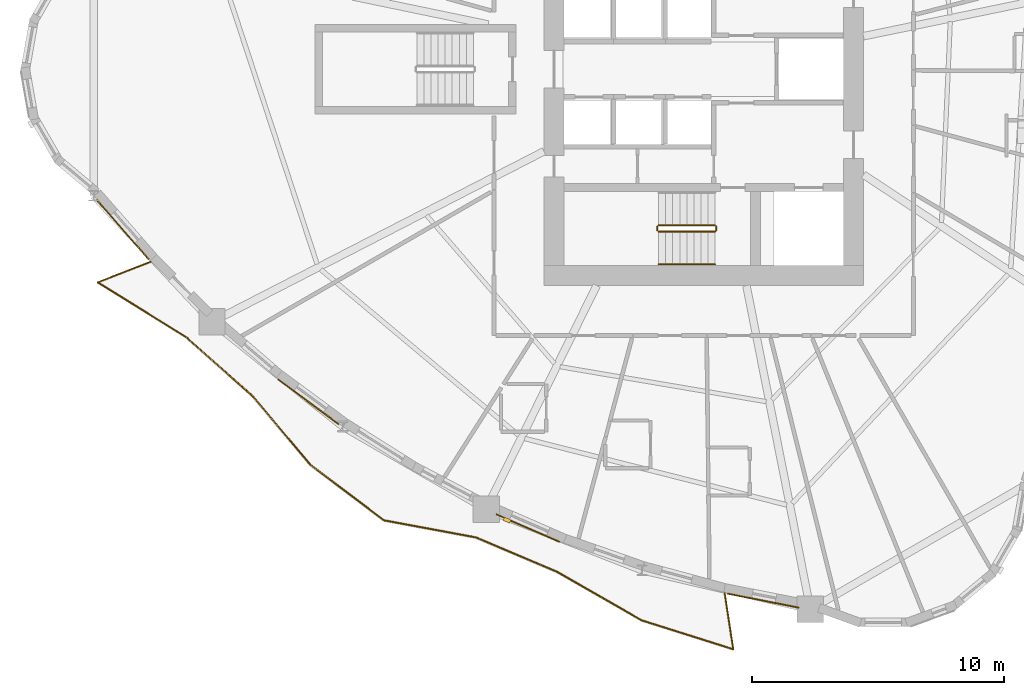
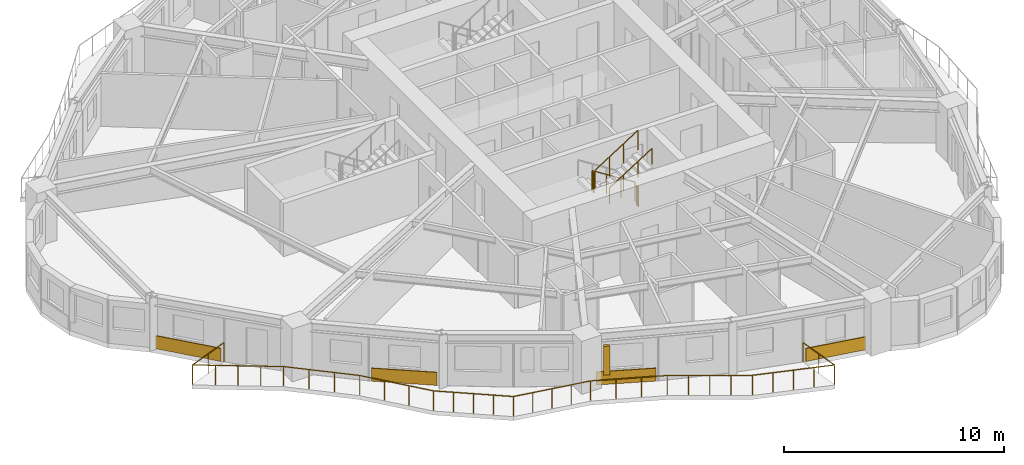
# One storey, part 10 of 13: 6 railings, 4 coverings, 1 shading device.
"""IFC4 building model written with IfcOpenShell, lengths in metres."""

from ifc_helpers import new_model, si_unit, direction, frame, origin, origin_2d, place, context, subcontext, project, spatial, rectangle, circle, extrude, source, transform, mapped, material, layer, layer_set, type_object, element, save


model = new_model("IFC4")

# Units and contexts
model_context = context("Model", 3, precision=1e-05, world=origin(), true_north=direction((0.0, 1.0)))
body_context = subcontext(model_context, "Body", "Model", "MODEL_VIEW")
ifc_project = project(units=[si_unit("LENGTHUNIT", "METRE"), si_unit("AREAUNIT", "SQUARE_METRE"), si_unit("VOLUMEUNIT", "CUBIC_METRE"), si_unit("PLANEANGLEUNIT", "RADIAN"), si_unit("MASSUNIT", "GRAM", prefix="KILO")], contexts=[model_context])

# Site, building, storey
site_placement = place(None, origin())
site = spatial("IfcSite", under=ifc_project, at=site_placement, CompositionType="ELEMENT")
building_placement = place(site_placement, origin())
building = spatial("IfcBuilding", under=site, at=building_placement, Name="Qafzar Sky-Pleat Residences", CompositionType="ELEMENT")
storey_placement = place(building_placement, frame((0.0, 0.0, 52.60009765625)))
storey = spatial("IfcBuildingStorey", under=building, at=storey_placement, Name="L15", CompositionType="ELEMENT", Elevation=52.60009765625)

# Shading device
ifc_material_1 = material(Name="Honed Riyadh limestone solar fin", Category="masonry")
ifc_layer_1 = layer(ifc_material_1, 0.139892578125)
ifc_layer_set_1 = layer_set([ifc_layer_1], Name="Honed Riyadh limestone solar fin")
shading_device_type = type_object("IfcShadingDeviceType", Name="SHD-FIN-STONE", PredefinedType="SHUTTER", material=ifc_layer_set_1)
shared_shape_1 = source(origin(), body_context, "Body", "SweptSolid", [
    extrude(rectangle(XDim=0.139892578125, YDim=0.280029296875, at=origin_2d()), origin(), (0.0, 0.0, 1.0), 1.60009765625),
])
shading_device_placement = place(storey_placement, frame((22.53759765625, 8.084716796875, 0.599853515625), z_axis=(0.0, 0.0, 1.0), x_axis=(-0.398699588189, -0.917081587634, 0.0)))
element("IfcShadingDevice", 1, at=shading_device_placement, inside=storey, type_object=shading_device_type, Name="L15 Limestone Solar Fin 13", PredefinedType="SHUTTER", context=body_context, shape_type="MappedRepresentation", body=[
    mapped(shared_shape_1, transform((0.0, 0.0, 0.0), x_axis=(1.0, 0.0, 0.0), y_axis=(0.0, 1.0, 0.0), z_axis=(0.0, 0.0, 1.0), scale=1.0)),
])

# Covering
ifc_material_2 = material(Name="Honed Riyadh Tuwaiq limestone cladding", Category="masonry")
ifc_layer_2 = layer(ifc_material_2, 0.044921875)
ifc_layer_set_2 = layer_set([ifc_layer_2], Name="Honed Riyadh Tuwaiq limestone cladding")
covering_type = type_object("IfcCoveringType", Name="COV-CLAD-STONE", PredefinedType="CLADDING", material=ifc_layer_set_2)
shared_shape_2 = source(origin(), body_context, "Body", "SweptSolid", [
    extrude(rectangle(XDim=2.994140625, YDim=0.044921875, at=origin_2d()), origin(), (0.0, 0.0, 1.0), 0.719970703125),
])
covering_1_placement = place(storey_placement, frame((14.642578125, 12.789306640625, 0.02001953125), z_axis=(0.0, 0.0, 1.0), x_axis=(0.803807401366, -0.594889621281, 0.0)))
element("IfcCovering", 2, at=covering_1_placement, inside=storey, type_object=covering_type, Name="L15 Riyadh Limestone Spandrel Cladding 10", PredefinedType="CLADDING", context=body_context, shape_type="MappedRepresentation", body=[
    mapped(shared_shape_2, transform((0.0, 0.0, 0.0), x_axis=(1.0, 0.0, 0.0), y_axis=(0.0, 1.0, 0.0), z_axis=(0.0, 0.0, 1.0), scale=1.0)),
])

# Railing
ifc_material_3 = material(Name="Laminated glass and bronze steel balustrade", Category="steel")
railing_type_1 = type_object("IfcRailingType", Name="RAIL-BAL-1100", PredefinedType="BALUSTRADE", material=ifc_material_3)
shared_shape_3 = source(origin(), body_context, "Body", "SweptSolid", [
    extrude(circle(Radius=0.02392578125, at=origin_2d()), frame((0.0, 0.0, 1.076171875), z_axis=(-0.93171786803, -0.363182893862, 0.0), x_axis=(0.363182893862, -0.93171786803, 0.0)), (0.0, 0.0, 1.0), 2.270751953125),
    extrude(circle(Radius=0.02392578125, at=origin_2d()), frame((-2.11572265625, -0.82470703125, 1.076171875), z_axis=(0.850296662272, -0.526303701421, 0.0), x_axis=(0.526303701421, 0.850296662272, 0.0)), (0.0, 0.0, 1.0), 4.127197265625),
    extrude(circle(Radius=0.02392578125, at=origin_2d()), frame((1.3935546875, -2.996826171875, 1.076171875), z_axis=(0.748455111542, -0.663185453706, 0.0), x_axis=(0.663185453706, 0.748455111542, 0.0)), (0.0, 0.0, 1.0), 3.538818359375),
    extrude(circle(Radius=0.02392578125, at=origin_2d()), frame((4.042236328125, -5.34375, 1.076171875), z_axis=(0.643013521092, -0.765854824162, 0.0), x_axis=(0.765854824162, 0.643013521092, 0.0)), (0.0, 0.0, 1.0), 3.5595703125),
    extrude(circle(Radius=0.02392578125, at=origin_2d()), frame((6.3310546875, -8.06982421875, 1.076171875), z_axis=(0.79831114189, -0.602245233053, 0.0), x_axis=(0.602245233053, 0.79831114189, 0.0)), (0.0, 0.0, 1.0), 3.6669921875),
    extrude(circle(Radius=0.02392578125, at=origin_2d()), frame((9.258544921875, -10.2783203125, 1.076171875), z_axis=(0.983148207627, -0.182810289209, 0.0), x_axis=(0.182810289209, 0.983148207627, 0.0)), (0.0, 0.0, 1.0), 3.7099609375),
    extrude(circle(Radius=0.02392578125, at=origin_2d()), frame((12.906005859375, -10.95654296875, 1.076171875), z_axis=(0.920590866575, -0.390528432228, 0.0), x_axis=(0.390528432228, 0.920590866575, 0.0)), (0.0, 0.0, 1.0), 3.513427734375),
    extrude(circle(Radius=0.02392578125, at=origin_2d()), frame((16.140380859375, -12.32861328125, 1.076171875), z_axis=(0.867705978012, -0.497077796449, 0.0), x_axis=(0.497077796449, 0.867705978012, 0.0)), (0.0, 0.0, 1.0), 3.86328125),
    extrude(circle(Radius=0.02392578125, at=origin_2d()), frame((19.49267578125, -14.2490234375, 1.076171875), z_axis=(0.953321364838, -0.301957572093, 0.0), x_axis=(0.301957572093, 0.953321364838, 0.0)), (0.0, 0.0, 1.0), 3.81787109375),
    extrude(circle(Radius=0.02392578125, at=origin_2d()), frame((23.13232421875, -15.40185546875, 1.076171875), z_axis=(-0.151168401391, 0.98850802446, 0.0), x_axis=(-0.98850802446, -0.151168401391, 0.0)), (0.0, 0.0, 1.0), 2.270751953125),
    extrude(circle(Radius=0.02099609375, at=origin_2d()), origin(), (0.0, 0.0, 1.0), 1.052001953125),
    extrude(circle(Radius=0.02099609375, at=origin_2d()), frame((-1.057861328125, -0.412353515625, 0.0)), (0.0, 0.0, 1.0), 1.052001953125),
    extrude(circle(Radius=0.02099609375, at=origin_2d()), frame((-2.11572265625, -0.82470703125, 0.0)), (0.0, 0.0, 1.0), 1.052001953125),
    extrude(circle(Radius=0.02099609375, at=origin_2d()), frame((-1.23828125, -1.36767578125, 0.0)), (0.0, 0.0, 1.0), 1.052001953125),
    extrude(circle(Radius=0.02099609375, at=origin_2d()), frame((-0.361083984375, -1.91064453125, 0.0)), (0.0, 0.0, 1.0), 1.052001953125),
    extrude(circle(Radius=0.02099609375, at=origin_2d()), frame((0.51611328125, -2.453857421875, 0.0)), (0.0, 0.0, 1.0), 1.052001953125),
    extrude(circle(Radius=0.02099609375, at=origin_2d()), frame((1.3935546875, -2.996826171875, 0.0)), (0.0, 0.0, 1.0), 1.052001953125),
    extrude(circle(Radius=0.02099609375, at=origin_2d()), frame((2.2763671875, -3.779052734375, 0.0)), (0.0, 0.0, 1.0), 1.052001953125),
    extrude(circle(Radius=0.02099609375, at=origin_2d()), frame((3.159423828125, -4.5615234375, 0.0)), (0.0, 0.0, 1.0), 1.052001953125),
    extrude(circle(Radius=0.02099609375, at=origin_2d()), frame((4.042236328125, -5.34375, 0.0)), (0.0, 0.0, 1.0), 1.052001953125),
    extrude(circle(Radius=0.02099609375, at=origin_2d()), frame((4.80517578125, -6.25244140625, 0.0)), (0.0, 0.0, 1.0), 1.052001953125),
    extrude(circle(Radius=0.02099609375, at=origin_2d()), frame((5.568115234375, -7.1611328125, 0.0)), (0.0, 0.0, 1.0), 1.052001953125),
    extrude(circle(Radius=0.02099609375, at=origin_2d()), frame((6.3310546875, -8.06982421875, 0.0)), (0.0, 0.0, 1.0), 1.052001953125),
    extrude(circle(Radius=0.02099609375, at=origin_2d()), frame((7.06298828125, -8.6220703125, 0.0)), (0.0, 0.0, 1.0), 1.052001953125),
    extrude(circle(Radius=0.02099609375, at=origin_2d()), frame((7.794921875, -9.174072265625, 0.0)), (0.0, 0.0, 1.0), 1.052001953125),
    extrude(circle(Radius=0.02099609375, at=origin_2d()), frame((8.526611328125, -9.72607421875, 0.0)), (0.0, 0.0, 1.0), 1.052001953125),
    extrude(circle(Radius=0.02099609375, at=origin_2d()), frame((9.258544921875, -10.2783203125, 0.0)), (0.0, 0.0, 1.0), 1.052001953125),
    extrude(circle(Radius=0.02099609375, at=origin_2d()), frame((10.17041015625, -10.44775390625, 0.0)), (0.0, 0.0, 1.0), 1.052001953125),
    extrude(circle(Radius=0.02099609375, at=origin_2d()), frame((11.082275390625, -10.617431640625, 0.0)), (0.0, 0.0, 1.0), 1.052001953125),
    extrude(circle(Radius=0.02099609375, at=origin_2d()), frame((11.994140625, -10.787109375, 0.0)), (0.0, 0.0, 1.0), 1.052001953125),
    extrude(circle(Radius=0.02099609375, at=origin_2d()), frame((12.906005859375, -10.95654296875, 0.0)), (0.0, 0.0, 1.0), 1.052001953125),
    extrude(circle(Radius=0.02099609375, at=origin_2d()), frame((13.984130859375, -11.413818359375, 0.0)), (0.0, 0.0, 1.0), 1.052001953125),
    extrude(circle(Radius=0.02099609375, at=origin_2d()), frame((15.062255859375, -11.871337890625, 0.0)), (0.0, 0.0, 1.0), 1.052001953125),
    extrude(circle(Radius=0.02099609375, at=origin_2d()), frame((16.140380859375, -12.32861328125, 0.0)), (0.0, 0.0, 1.0), 1.052001953125),
    extrude(circle(Radius=0.02099609375, at=origin_2d()), frame((16.978515625, -12.80859375, 0.0)), (0.0, 0.0, 1.0), 1.052001953125),
    extrude(circle(Radius=0.02099609375, at=origin_2d()), frame((17.81640625, -13.288818359375, 0.0)), (0.0, 0.0, 1.0), 1.052001953125),
    extrude(circle(Radius=0.02099609375, at=origin_2d()), frame((18.654541015625, -13.76904296875, 0.0)), (0.0, 0.0, 1.0), 1.052001953125),
    extrude(circle(Radius=0.02099609375, at=origin_2d()), frame((19.49267578125, -14.2490234375, 0.0)), (0.0, 0.0, 1.0), 1.052001953125),
    extrude(circle(Radius=0.02099609375, at=origin_2d()), frame((20.402587890625, -14.537109375, 0.0)), (0.0, 0.0, 1.0), 1.052001953125),
    extrude(circle(Radius=0.02099609375, at=origin_2d()), frame((21.3125, -14.825439453125, 0.0)), (0.0, 0.0, 1.0), 1.052001953125),
    extrude(circle(Radius=0.02099609375, at=origin_2d()), frame((22.222412109375, -15.11376953125, 0.0)), (0.0, 0.0, 1.0), 1.052001953125),
    extrude(circle(Radius=0.02099609375, at=origin_2d()), frame((23.13232421875, -15.40185546875, 0.0)), (0.0, 0.0, 1.0), 1.052001953125),
    extrude(circle(Radius=0.02099609375, at=origin_2d()), frame((22.960693359375, -14.279541015625, 0.0)), (0.0, 0.0, 1.0), 1.052001953125),
    extrude(circle(Radius=0.02099609375, at=origin_2d()), frame((22.7890625, -13.1572265625, 0.0)), (0.0, 0.0, 1.0), 1.052001953125),
])
railing_1_placement = place(storey_placement, frame((8.3935546875, 18.355224609375, 0.0)))
element("IfcRailing", 3, at=railing_1_placement, inside=storey, type_object=railing_type_1, Name="L15 Pleated Balcony 3 Balustrade", PredefinedType="BALUSTRADE", context=body_context, shape_type="MappedRepresentation", body=[
    mapped(shared_shape_3, transform((0.0, 0.0, 0.0), x_axis=(1.0, 0.0, 0.0), y_axis=(0.0, 1.0, 0.0), z_axis=(0.0, 0.0, 1.0), scale=1.0)),
])

# Coverings
shared_shape_4 = source(origin(), body_context, "Body", "SweptSolid", [
    extrude(rectangle(XDim=3.14306640625, YDim=0.044921875, at=origin_2d()), origin(), (0.0, 0.0, 1.0), 0.719970703125),
])
covering_2_placement = place(storey_placement, frame((7.264892578125, 19.632080078125, 0.02001953125), z_axis=(0.0, 0.0, 1.0), x_axis=(0.657622311353, -0.753347791933, 0.0)))
element("IfcCovering", 4, at=covering_2_placement, inside=storey, type_object=covering_type, Name="L15 Riyadh Limestone Spandrel Cladding 7", PredefinedType="CLADDING", context=body_context, shape_type="MappedRepresentation", body=[
    mapped(shared_shape_4, transform((0.0, 0.0, 0.0), x_axis=(1.0, 0.0, 0.0), y_axis=(0.0, 1.0, 0.0), z_axis=(0.0, 0.0, 1.0), scale=1.0)),
])
shared_shape_5 = source(origin(), body_context, "Body", "SweptSolid", [
    extrude(rectangle(XDim=2.7421875, YDim=0.044921875, at=origin_2d()), origin(), (0.0, 0.0, 1.0), 0.719970703125),
])
covering_3_placement = place(storey_placement, frame((23.3662109375, 7.77099609375, 0.02001953125), z_axis=(0.0, 0.0, 1.0), x_axis=(0.917073187075, -0.398718910448, 0.0)))
element("IfcCovering", 5, at=covering_3_placement, inside=storey, type_object=covering_type, Name="L15 Riyadh Limestone Spandrel Cladding 13", PredefinedType="CLADDING", context=body_context, shape_type="MappedRepresentation", body=[
    mapped(shared_shape_5, transform((0.0, 0.0, 0.0), x_axis=(1.0, 0.0, 0.0), y_axis=(0.0, 1.0, 0.0), z_axis=(0.0, 0.0, 1.0), scale=1.0)),
])
shared_shape_6 = source(origin(), body_context, "Body", "SweptSolid", [
    extrude(rectangle(XDim=2.89111328125, YDim=0.044921875, at=origin_2d()), origin(), (0.0, 0.0, 1.0), 0.719970703125),
])
covering_4_placement = place(storey_placement, frame((32.71533203125, 4.885986328125, 0.02001953125), z_axis=(0.0, 0.0, 1.0), x_axis=(0.981234834966, -0.192816489568, 0.0)))
element("IfcCovering", 6, at=covering_4_placement, inside=storey, type_object=covering_type, Name="L15 Riyadh Limestone Spandrel Cladding 16", PredefinedType="CLADDING", context=body_context, shape_type="MappedRepresentation", body=[
    mapped(shared_shape_6, transform((0.0, 0.0, 0.0), x_axis=(1.0, 0.0, 0.0), y_axis=(0.0, 1.0, 0.0), z_axis=(0.0, 0.0, 1.0), scale=1.0)),
])

# Railings
ifc_material_4 = material(Name="Painted Steel S355 stair guardrail", Category="steel")
railing_type_2 = type_object("IfcRailingType", Name="RAIL-STAIR-GUARD", PredefinedType="GUARDRAIL", material=ifc_material_4)
shared_shape_7 = source(origin(), body_context, "Body", "SweptSolid", [
    extrude(circle(Radius=0.02392578125, at=origin_2d()), frame((0.0, 0.0, 1.076171875), z_axis=(0.0, -1.0, 0.0), x_axis=(1.0, 0.0, 0.0)), (0.0, 0.0, 1.0), 0.14990234375),
    extrude(circle(Radius=0.02099609375, at=origin_2d()), origin(), (0.0, 0.0, 1.0), 1.052001953125),
    extrude(circle(Radius=0.02099609375, at=origin_2d()), frame((0.0, -0.14990234375, 0.0)), (0.0, 0.0, 1.0), 1.052001953125),
])
for number, where, name in (
    (7, (28.510009765625, 19.75, 1.599853515625), "L15 ST1 stair guard 2"),
    (8, (30.85009765625, 19.75, 0.0), "L15 ST1 stair guard 4"),
):
    element("IfcRailing", number, at=place(storey_placement, frame(where)), inside=storey, type_object=railing_type_2, Name=name, PredefinedType="GUARDRAIL", context=body_context, shape_type="MappedRepresentation", body=[
        mapped(shared_shape_7, transform((0.0, 0.0, 0.0), x_axis=(1.0, 0.0, 0.0), y_axis=(0.0, 1.0, 0.0), z_axis=(0.0, 0.0, 1.0), scale=1.0)),
    ])
shared_shape_8 = source(origin(), body_context, "Body", "SweptSolid", [
    extrude(circle(Radius=0.02392578125, at=origin_2d()), frame((0.0, 0.0, 1.076171875), z_axis=(-0.8442293374, 0.0, 0.53598211339), x_axis=(0.0, -1.0, 0.0)), (0.0, 0.0, 1.0), 2.6533203125),
    extrude(circle(Radius=0.02099609375, at=origin_2d()), origin(), (0.0, 0.0, 1.0), 1.052001953125),
    extrude(circle(Radius=0.02099609375, at=origin_2d()), frame((-0.74658203125, 0.0, 0.47412109375)), (0.0, 0.0, 1.0), 1.052001953125),
    extrude(circle(Radius=0.02099609375, at=origin_2d()), frame((-1.493408203125, 0.0, 0.947998046875)), (0.0, 0.0, 1.0), 1.052001953125),
    extrude(circle(Radius=0.02099609375, at=origin_2d()), frame((-2.239990234375, 0.0, 1.422119140625)), (0.0, 0.0, 1.0), 1.052001953125),
])
railing_2_placement = place(storey_placement, frame((30.800048828125, 19.800048828125, 0.177734375)))
element("IfcRailing", 9, at=railing_2_placement, inside=storey, type_object=railing_type_2, Name="L15 ST1 stair guard 1", PredefinedType="GUARDRAIL", context=body_context, shape_type="MappedRepresentation", body=[
    mapped(shared_shape_8, transform((0.0, 0.0, 0.0), x_axis=(1.0, 0.0, 0.0), y_axis=(0.0, 1.0, 0.0), z_axis=(0.0, 0.0, 1.0), scale=1.0)),
])
shared_shape_9 = source(origin(), body_context, "Body", "SweptSolid", [
    extrude(circle(Radius=0.02392578125, at=origin_2d()), frame((0.0, 0.0, 1.076171875), z_axis=(0.84418770128, 0.0, 0.536047689118), x_axis=(0.0, 1.0, 0.0)), (0.0, 0.0, 1.0), 2.6533203125),
    extrude(circle(Radius=0.02099609375, at=origin_2d()), origin(), (0.0, 0.0, 1.0), 1.052001953125),
    extrude(circle(Radius=0.02099609375, at=origin_2d()), frame((0.74658203125, 0.0, 0.47412109375)), (0.0, 0.0, 1.0), 1.052001953125),
    extrude(circle(Radius=0.02099609375, at=origin_2d()), frame((1.493408203125, 0.0, 0.9482421875)), (0.0, 0.0, 1.0), 1.052001953125),
    extrude(circle(Radius=0.02099609375, at=origin_2d()), frame((2.239990234375, 0.0, 1.42236328125)), (0.0, 0.0, 1.0), 1.052001953125),
])
railing_3_placement = place(storey_placement, frame((28.56005859375, 19.550048828125, 1.777587890625)))
element("IfcRailing", 10, at=railing_3_placement, inside=storey, type_object=railing_type_2, Name="L15 ST1 stair guard 3", PredefinedType="GUARDRAIL", context=body_context, shape_type="MappedRepresentation", body=[
    mapped(shared_shape_9, transform((0.0, 0.0, 0.0), x_axis=(1.0, 0.0, 0.0), y_axis=(0.0, 1.0, 0.0), z_axis=(0.0, 0.0, 1.0), scale=1.0)),
])
ifc_material_5 = material(Name="Brushed stainless steel handrail", Category="steel")
railing_type_3 = type_object("IfcRailingType", Name="RAIL-STAIR-HAND", PredefinedType="HANDRAIL", material=ifc_material_5)
shared_shape_10 = source(origin(), body_context, "Body", "SweptSolid", [
    extrude(circle(Radius=0.02392578125, at=origin_2d()), frame((0.0, 0.0, 0.8759765625), z_axis=(0.84418770128, 0.0, 0.536047689118), x_axis=(0.0, 1.0, 0.0)), (0.0, 0.0, 1.0), 2.6533203125),
    extrude(circle(Radius=0.02099609375, at=origin_2d()), origin(), (0.0, 0.0, 1.0), 0.851806640625),
    extrude(circle(Radius=0.02099609375, at=origin_2d()), frame((0.74658203125, 0.0, 0.47412109375)), (0.0, 0.0, 1.0), 0.851806640625),
    extrude(circle(Radius=0.02099609375, at=origin_2d()), frame((1.493408203125, 0.0, 0.9482421875)), (0.0, 0.0, 1.0), 0.851806640625),
    extrude(circle(Radius=0.02099609375, at=origin_2d()), frame((2.239990234375, 0.0, 1.42236328125)), (0.0, 0.0, 1.0), 0.851806640625),
])
railing_4_placement = place(storey_placement, frame((28.56005859375, 18.25, 1.777587890625)))
element("IfcRailing", 11, at=railing_4_placement, inside=storey, type_object=railing_type_3, Name="L15 ST1 stair handrail 2", PredefinedType="HANDRAIL", context=body_context, shape_type="MappedRepresentation", body=[
    mapped(shared_shape_10, transform((0.0, 0.0, 0.0), x_axis=(1.0, 0.0, 0.0), y_axis=(0.0, 1.0, 0.0), z_axis=(0.0, 0.0, 1.0), scale=1.0)),
])

save(model, "model.ifc")
